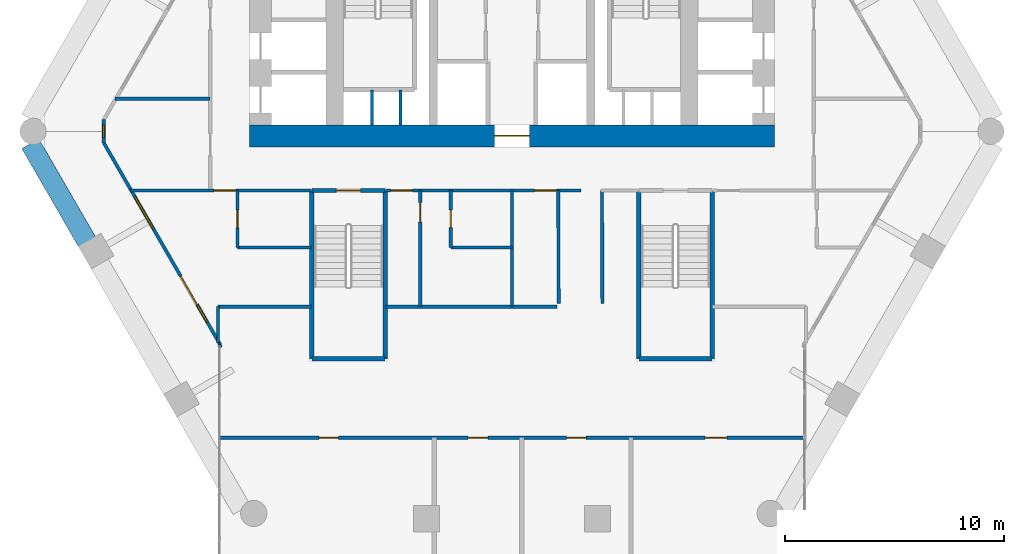
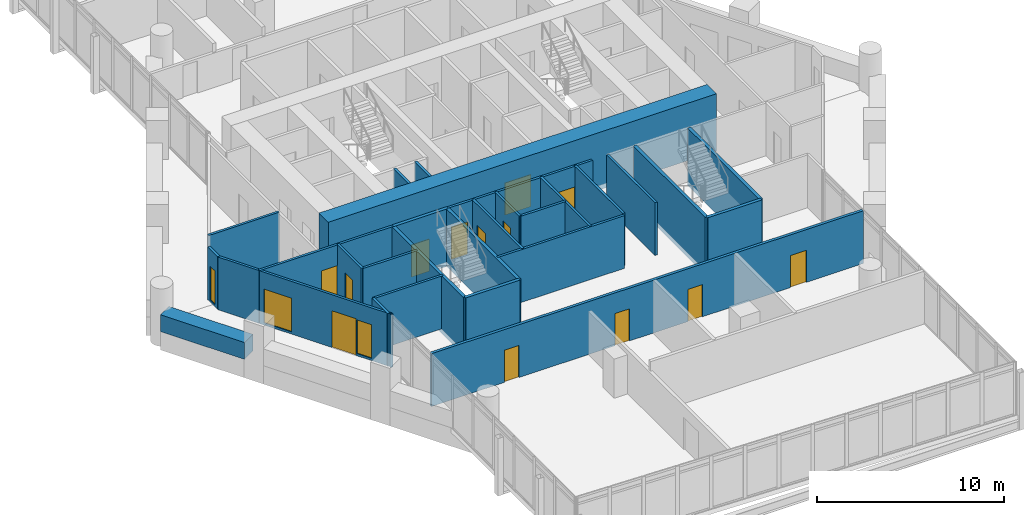
# One storey, part 23 of 28: 29 walls, 13 doors, 3 windows, 16 openings.
"""IFC4 building model written with IfcOpenShell, lengths in metres."""

from ifc_helpers import new_model, si_unit, direction, frame, frame_2d, origin, place, context, subcontext, project, spatial, rectangle, extrude, material, layer, layer_set, type_object, element, fill, save


model = new_model("IFC4")

# Units and contexts
model_context = context("Model", 3, precision=1e-05, world=origin(), true_north=direction((0.0, 1.0)))
body_context = subcontext(model_context, "Body", "Model", "MODEL_VIEW")
ifc_project = project(units=[si_unit("LENGTHUNIT", "METRE"), si_unit("AREAUNIT", "SQUARE_METRE"), si_unit("VOLUMEUNIT", "CUBIC_METRE"), si_unit("PLANEANGLEUNIT", "RADIAN"), si_unit("MASSUNIT", "GRAM", prefix="KILO")], contexts=[model_context])

# Site, building, storey
site_placement = place(None, origin())
site = spatial("IfcSite", under=ifc_project, at=site_placement, CompositionType="ELEMENT")
building_placement = place(site_placement, origin())
building = spatial("IfcBuilding", under=site, at=building_placement, Name="Ostrander Bayou Hotel Tower", CompositionType="ELEMENT")
storey_placement = place(building_placement, frame((0.0, 0.0, 134.75)))
storey = spatial("IfcBuildingStorey", under=building, at=storey_placement, Name="L33", CompositionType="ELEMENT", Elevation=134.75)

# Wall, opening, door
ifc_material_1 = material(Name="Concrete f'c 70 MPa", Category="concrete")
ifc_layer_1 = layer(ifc_material_1, 1.0)
ifc_layer_set_1 = layer_set([ifc_layer_1], Name="CW4 core wall 1000 mm f'c 70 MPa")
wall_type_1 = type_object("IfcWallType", Name="CW4 core wall 1000 mm f'c 70 MPa", PredefinedType="SHEAR", material=ifc_layer_set_1)
wall_1_placement = place(storey_placement, frame((-12.0, -1.199951171875, -0.300048828125), z_axis=(0.0, 0.0, 1.0), x_axis=(1.0, 0.0, 0.0)))
wall_1 = element("IfcWall", 1, at=wall_1_placement, inside=storey, type_object=wall_type_1, Name="CW4 L33 S", PredefinedType="SHEAR", context=body_context, shape_type="SweptSolid", body=[
    extrude(rectangle(XDim=24.0, YDim=1.0, at=frame_2d((12.0, 0.0))), origin(), (0.0, 0.0, 1.0), 3.75),
])
opening_1_placement = place(wall_1_placement, frame((11.199951171875, 0.0, 0.0)))
opening_1 = element("IfcOpeningElement", 2, at=opening_1_placement, cuts=wall_1, Name="Opening T32-001", PredefinedType="OPENING", context=body_context, shape_type="SweptSolid", body=[
    extrude(rectangle(XDim=1.60009765625, YDim=2.10009765625, at=frame_2d((0.800048828125, 1.050048828125))), frame((0.0, 0.5, 0.0), z_axis=(0.0, -1.0, 0.0), x_axis=(1.0, 0.0, 0.0)), (0.0, 0.0, 1.0), 1.0),
])
ifc_material_2 = material(Name="Timber door leaf", Category="wood")
door_type_1 = type_object("IfcDoorType", Name="D13 double door 1600 x 2100 mm, 1 hour", OperationType="SINGLE_SWING_LEFT", PredefinedType="DOOR", material=ifc_material_2)
door_1_placement = place(opening_1_placement, origin())
door_1 = element("IfcDoor", 3, at=door_1_placement, inside=storey, type_object=door_type_1, Name="dr:L33:001", OperationType="DOUBLE_DOOR_SINGLE_SWING", OverallHeight=2.10009765625, OverallWidth=1.60009765625, PredefinedType="DOOR", context=body_context, shape_type="SweptSolid", body=[
    extrude(rectangle(XDim=1.60009765625, YDim=2.10009765625, at=frame_2d((0.800048828125, 1.050048828125))), frame((0.0, 0.02490234375, 0.0), z_axis=(0.0, -1.0, 0.0), x_axis=(1.0, 0.0, 0.0)), (0.0, 0.0, 1.0), 0.050048828125),
])
fill(opening_1, door_1)

# Wall, openings, door, windows
ifc_material_3 = material(Name="Aluminium framed insulated wall", Category="aluminium")
ifc_layer_2 = layer(ifc_material_3, 0.14990234375)
ifc_layer_set_2 = layer_set([ifc_layer_2], Name="GW1 glass-line wall 150 mm")
wall_type_2 = type_object("IfcWallType", Name="GW1 glass-line wall 150 mm", PredefinedType="SOLIDWALL", material=ifc_layer_set_2)
wall_2_placement = place(storey_placement, frame((-18.66259765625, -1.525390625, 0.0), z_axis=(0.0, 0.0, 1.0), x_axis=(0.499997430087, -0.866026887519, 0.0)))
wall_2 = element("IfcWall", 4, at=wall_2_placement, inside=storey, type_object=wall_type_2, Name="GW1 L33 SW 1", PredefinedType="SOLIDWALL", context=body_context, shape_type="SweptSolid", body=[
    extrude(rectangle(XDim=10.6572265625, YDim=0.14990234375, at=frame_2d((5.32861328125, 0.0))), origin(), (0.0, 0.0, 1.0), 3.449951171875),
])
opening_2_placement = place(wall_2_placement, frame((2.835205078125, 0.0, 0.14990234375)))
opening_2 = element("IfcOpeningElement", 5, at=opening_2_placement, cuts=wall_2, Name="Opening W8", PredefinedType="OPENING", context=body_context, shape_type="SweptSolid", body=[
    extrude(rectangle(XDim=1.699951171875, YDim=2.199951171875, at=frame_2d((0.85009765625, 1.10009765625))), frame((0.0, 0.074951171875, 0.0), z_axis=(0.0, -1.0, 0.0), x_axis=(1.0, 0.0, 0.0)), (0.0, 0.0, 1.0), 0.14990234375),
])
opening_3_placement = place(wall_2_placement, frame((8.572998046875, 0.0, 0.14990234375)))
opening_3 = element("IfcOpeningElement", 6, at=opening_3_placement, cuts=wall_2, Name="Opening W16", PredefinedType="OPENING", context=body_context, shape_type="SweptSolid", body=[
    extrude(rectangle(XDim=0.89990234375, YDim=2.199951171875, at=frame_2d((0.449951171875, 1.10009765625))), frame((0.0, 0.074951171875, 0.0), z_axis=(0.0, -1.0, 0.0), x_axis=(1.0, 0.0, 0.0)), (0.0, 0.0, 1.0), 0.14990234375),
])
opening_4_placement = place(wall_2_placement, frame((7.023193359375, 0.0, 0.0)))
opening_4 = element("IfcOpeningElement", 7, at=opening_4_placement, cuts=wall_2, Name="Opening T32-800", PredefinedType="OPENING", context=body_context, shape_type="SweptSolid", body=[
    extrude(rectangle(XDim=1.5, YDim=2.39990234375, at=frame_2d((0.75, 1.199951171875))), frame((0.0, 0.074951171875, 0.0), z_axis=(0.0, -1.0, 0.0), x_axis=(1.0, 0.0, 0.0)), (0.0, 0.0, 1.0), 0.14990234375),
])
ifc_material_4 = material(Name="Aluminium and clear glass", Category="aluminium")
door_type_2 = type_object("IfcDoorType", Name="SD2 sliding glass door 1500 mm, zone 2", OperationType="SLIDING_TO_LEFT", PredefinedType="DOOR", material=ifc_material_4)
door_2_placement = place(opening_4_placement, origin())
door_2 = element("IfcDoor", 8, at=door_2_placement, inside=storey, type_object=door_type_2, Name="SD2 L33 SW 2", OperationType="SLIDING_TO_RIGHT", OverallHeight=2.39990234375, OverallWidth=1.5, PredefinedType="DOOR", context=body_context, shape_type="SweptSolid", body=[
    extrude(rectangle(XDim=1.5, YDim=2.39990234375, at=frame_2d((0.75, 1.199951171875))), frame((0.0, 0.02490234375, 0.0), z_axis=(0.0, -1.0, 0.0), x_axis=(1.0, 0.0, 0.0)), (0.0, 0.0, 1.0), 0.050048828125),
])
fill(opening_4, door_2)
ifc_material_5 = material(Name="Aluminium and clear glass", Category="aluminium")
window_type_1 = type_object("IfcWindowType", Name="W16 window 900 mm, zone 2", PartitioningType="SINGLE_PANEL", PredefinedType="WINDOW", material=ifc_material_5)
window_1_placement = place(opening_3_placement, origin())
window_1 = element("IfcWindow", 9, at=window_1_placement, inside=storey, type_object=window_type_1, Name="W16 L33 SW 2", OverallHeight=2.199951171875, OverallWidth=0.89990234375, PartitioningType="SINGLE_PANEL", PredefinedType="WINDOW", context=body_context, shape_type="SweptSolid", body=[
    extrude(rectangle(XDim=0.89990234375, YDim=2.199951171875, at=frame_2d((0.449951171875, 1.10009765625))), frame((0.0, 0.030029296875, 0.0), z_axis=(0.0, -1.0, 0.0), x_axis=(1.0, 0.0, 0.0)), (0.0, 0.0, 1.0), 0.06005859375),
])
fill(opening_3, window_1)
ifc_material_6 = material(Name="Aluminium and clear glass", Category="aluminium")
window_type_2 = type_object("IfcWindowType", Name="W8 fixed window 1700 mm, bar storeys, zone 2", PartitioningType="SINGLE_PANEL", PredefinedType="WINDOW", material=ifc_material_6)
window_2_placement = place(opening_2_placement, origin())
window_2 = element("IfcWindow", 10, at=window_2_placement, inside=storey, type_object=window_type_2, Name="W8 L33 SW 1", OverallHeight=2.199951171875, OverallWidth=1.699951171875, PartitioningType="SINGLE_PANEL", PredefinedType="WINDOW", context=body_context, shape_type="SweptSolid", body=[
    extrude(rectangle(XDim=1.699951171875, YDim=2.199951171875, at=frame_2d((0.85009765625, 1.10009765625))), frame((0.0, 0.030029296875, 0.0), z_axis=(0.0, -1.0, 0.0), x_axis=(1.0, 0.0, 0.0)), (0.0, 0.0, 1.0), 0.06005859375),
])
fill(opening_2, window_2)

# Wall, opening, window
wall_3_placement = place(storey_placement, frame((-18.66259765625, -0.460205078125, 0.0), z_axis=(0.0, 0.0, 1.0), x_axis=(0.0, -1.0, 0.0)))
wall_3 = element("IfcWall", 11, at=wall_3_placement, inside=storey, type_object=wall_type_2, Name="GW1 L33 corner 2", PredefinedType="SOLIDWALL", context=body_context, shape_type="SweptSolid", body=[
    extrude(rectangle(XDim=1.065185546875, YDim=0.14990234375, at=frame_2d((0.53271484375, 0.0))), origin(), (0.0, 0.0, 1.0), 3.449951171875),
])
opening_5_placement = place(wall_3_placement, frame((0.257568359375, 0.0, 0.14990234375)))
opening_5 = element("IfcOpeningElement", 12, at=opening_5_placement, cuts=wall_3, Name="Opening W19", PredefinedType="OPENING", context=body_context, shape_type="SweptSolid", body=[
    extrude(rectangle(XDim=0.550048828125, YDim=2.199951171875, at=frame_2d((0.27490234375, 1.10009765625))), frame((0.0, 0.074951171875, 0.0), z_axis=(0.0, -1.0, 0.0), x_axis=(1.0, 0.0, 0.0)), (0.0, 0.0, 1.0), 0.14990234375),
])
ifc_material_7 = material(Name="Aluminium and clear glass", Category="aluminium")
window_type_3 = type_object("IfcWindowType", Name="W19 corner window 550 mm", PartitioningType="SINGLE_PANEL", PredefinedType="WINDOW", material=ifc_material_7)
window_3_placement = place(opening_5_placement, origin())
window_3 = element("IfcWindow", 13, at=window_3_placement, inside=storey, type_object=window_type_3, Name="W19 L33 corner 2", OverallHeight=2.199951171875, OverallWidth=0.550048828125, PartitioningType="SINGLE_PANEL", PredefinedType="WINDOW", context=body_context, shape_type="SweptSolid", body=[
    extrude(rectangle(XDim=0.550048828125, YDim=2.199951171875, at=frame_2d((0.27490234375, 1.10009765625))), frame((0.0, 0.030029296875, 0.0), z_axis=(0.0, -1.0, 0.0), x_axis=(1.0, 0.0, 0.0)), (0.0, 0.0, 1.0), 0.06005859375),
])
fill(opening_5, window_3)

# Walls
wall_4_placement = place(storey_placement, frame((-13.333984375, -10.7548828125, 0.0), z_axis=(0.0, 0.0, 1.0), x_axis=(-0.337751931921, -0.941235163221, 0.0)))
element("IfcWall", 14, at=wall_4_placement, inside=storey, type_object=wall_type_2, Name="GW1 L33 bar joint 2", PredefinedType="SOLIDWALL", context=body_context, shape_type="SweptSolid", body=[
    extrude(rectangle(XDim=0.098388671875, YDim=0.14990234375, at=frame_2d((0.04931640625, 0.0))), origin(), (0.0, 0.0, 1.0), 3.449951171875),
])
ifc_material_8 = material(Name="Limestone masonry", Category="masonry")
ifc_layer_3 = layer(ifc_material_8, 0.89990234375)
ifc_layer_set_3 = layer_set([ifc_layer_3], Name="PA2 limestone parapet 900 mm")
wall_type_3 = type_object("IfcWallType", Name="PA2 limestone parapet 900 mm", PredefinedType="PARAPET", material=ifc_layer_set_3)
wall_5_placement = place(storey_placement, frame((-22.022216796875, -1.556396484375, 0.0), z_axis=(0.0, 0.0, 1.0), x_axis=(0.499996813733, -0.866027243369, 0.0)))
element("IfcWall", 15, at=wall_5_placement, inside=storey, type_object=wall_type_3, Name="PA2 L33 SW-1", PredefinedType="PARAPET", context=body_context, shape_type="SweptSolid", body=[
    extrude(rectangle(XDim=5.1865234375, YDim=0.89990234375, at=frame_2d((2.59326171875, 0.0))), origin(), (0.0, 0.0, 1.0), 1.10009765625),
])

# Wall, openings, doors
ifc_material_9 = material(Name="Gypsum board partition", Category="finish")
ifc_layer_4 = layer(ifc_material_9, 0.175048828125)
ifc_layer_set_4 = layer_set([ifc_layer_4], Name="PT4 corridor wall 175 mm, 1 hour")
wall_type_4 = type_object("IfcWallType", Name="PT4 corridor wall 175 mm, 1 hour", PredefinedType="PARTITIONING", material=ifc_layer_set_4)
wall_6_placement = place(storey_placement, frame((-13.34814453125, -15.0, 0.0), z_axis=(0.0, 0.0, 1.0), x_axis=(1.0, 0.0, 0.0)))
wall_6 = element("IfcWall", 16, at=wall_6_placement, inside=storey, type_object=wall_type_4, Name="sw:L33:500", PredefinedType="PARTITIONING", context=body_context, shape_type="SweptSolid", body=[
    extrude(rectangle(XDim=26.6962890625, YDim=0.175048828125, at=frame_2d((13.34814453125, 0.0))), origin(), (0.0, 0.0, 1.0), 3.449951171875),
])
opening_6_placement = place(wall_6_placement, frame((11.34033203125, 0.0, 0.0)))
opening_6 = element("IfcOpeningElement", 17, at=opening_6_placement, cuts=wall_6, Name="Opening T32-1200", PredefinedType="OPENING", context=body_context, shape_type="SweptSolid", body=[
    extrude(rectangle(XDim=0.89990234375, YDim=2.10009765625, at=frame_2d((0.449951171875, 1.050048828125))), frame((0.0, 0.08740234375, 0.0), z_axis=(0.0, -1.0, 0.0), x_axis=(1.0, 0.0, 0.0)), (0.0, 0.0, 1.0), 0.175048828125),
])
opening_7_placement = place(wall_6_placement, frame((15.84033203125, 0.0, 0.0)))
opening_7 = element("IfcOpeningElement", 18, at=opening_7_placement, cuts=wall_6, Name="Opening T32-1201", PredefinedType="OPENING", context=body_context, shape_type="SweptSolid", body=[
    extrude(rectangle(XDim=0.89990234375, YDim=2.10009765625, at=frame_2d((0.449951171875, 1.050048828125))), frame((0.0, 0.08740234375, 0.0), z_axis=(0.0, -1.0, 0.0), x_axis=(1.0, 0.0, 0.0)), (0.0, 0.0, 1.0), 0.175048828125),
])
opening_8_placement = place(wall_6_placement, frame((22.17529296875, 0.0, 0.0)))
opening_8 = element("IfcOpeningElement", 19, at=opening_8_placement, cuts=wall_6, Name="Opening T32-1202", PredefinedType="OPENING", context=body_context, shape_type="SweptSolid", body=[
    extrude(rectangle(XDim=1.0, YDim=2.10009765625, at=frame_2d((0.5, 1.050048828125))), frame((0.0, 0.08740234375, 0.0), z_axis=(0.0, -1.0, 0.0), x_axis=(1.0, 0.0, 0.0)), (0.0, 0.0, 1.0), 0.175048828125),
])
opening_9_placement = place(wall_6_placement, frame((4.51318359375, 0.0, 0.0)))
opening_9 = element("IfcOpeningElement", 20, at=opening_9_placement, cuts=wall_6, Name="Opening T32-1203", PredefinedType="OPENING", context=body_context, shape_type="SweptSolid", body=[
    extrude(rectangle(XDim=0.89990234375, YDim=2.10009765625, at=frame_2d((0.449951171875, 1.050048828125))), frame((0.0, 0.08740234375, 0.0), z_axis=(0.0, -1.0, 0.0), x_axis=(1.0, 0.0, 0.0)), (0.0, 0.0, 1.0), 0.175048828125),
])
ifc_material_10 = material(Name="Timber door leaf", Category="wood")
door_type_3 = type_object("IfcDoorType", Name="D8 room door 900 x 2100 mm", OperationType="SINGLE_SWING_LEFT", PredefinedType="DOOR", material=ifc_material_10)
door_3_placement = place(opening_6_placement, origin())
door_3 = element("IfcDoor", 21, at=door_3_placement, inside=storey, type_object=door_type_3, Name="dr:L33:1200", OperationType="SINGLE_SWING_RIGHT", OverallHeight=2.10009765625, OverallWidth=0.89990234375, PredefinedType="DOOR", context=body_context, shape_type="SweptSolid", body=[
    extrude(rectangle(XDim=0.89990234375, YDim=2.10009765625, at=frame_2d((0.449951171875, 1.050048828125))), frame((0.0, 0.02490234375, 0.0), z_axis=(0.0, -1.0, 0.0), x_axis=(1.0, 0.0, 0.0)), (0.0, 0.0, 1.0), 0.050048828125),
])
fill(opening_6, door_3)
door_4_placement = place(opening_7_placement, origin())
door_4 = element("IfcDoor", 22, at=door_4_placement, inside=storey, type_object=door_type_3, Name="dr:L33:1201", OperationType="SINGLE_SWING_LEFT", OverallHeight=2.10009765625, OverallWidth=0.89990234375, PredefinedType="DOOR", context=body_context, shape_type="SweptSolid", body=[
    extrude(rectangle(XDim=0.89990234375, YDim=2.10009765625, at=frame_2d((0.449951171875, 1.050048828125))), frame((0.0, 0.02490234375, 0.0), z_axis=(0.0, -1.0, 0.0), x_axis=(1.0, 0.0, 0.0)), (0.0, 0.0, 1.0), 0.050048828125),
])
fill(opening_7, door_4)
door_5_placement = place(opening_9_placement, origin())
door_5 = element("IfcDoor", 23, at=door_5_placement, inside=storey, type_object=door_type_3, Name="dr:L33:1203", OperationType="SINGLE_SWING_LEFT", OverallHeight=2.10009765625, OverallWidth=0.89990234375, PredefinedType="DOOR", context=body_context, shape_type="SweptSolid", body=[
    extrude(rectangle(XDim=0.89990234375, YDim=2.10009765625, at=frame_2d((0.449951171875, 1.050048828125))), frame((0.0, 0.02490234375, 0.0), z_axis=(0.0, -1.0, 0.0), x_axis=(1.0, 0.0, 0.0)), (0.0, 0.0, 1.0), 0.050048828125),
])
fill(opening_9, door_5)
ifc_material_11 = material(Name="Timber door leaf", Category="wood")
door_type_4 = type_object("IfcDoorType", Name="D9 service door 1000 x 2100 mm, 30 minute", OperationType="SINGLE_SWING_LEFT", PredefinedType="DOOR", material=ifc_material_11)
door_6_placement = place(opening_8_placement, origin())
door_6 = element("IfcDoor", 24, at=door_6_placement, inside=storey, type_object=door_type_4, Name="dr:L33:1202", OperationType="SINGLE_SWING_RIGHT", OverallHeight=2.10009765625, OverallWidth=1.0, PredefinedType="DOOR", context=body_context, shape_type="SweptSolid", body=[
    extrude(rectangle(XDim=1.0, YDim=2.10009765625, at=frame_2d((0.5, 1.050048828125))), frame((0.0, 0.02490234375, 0.0), z_axis=(0.0, -1.0, 0.0), x_axis=(1.0, 0.0, 0.0)), (0.0, 0.0, 1.0), 0.050048828125),
])
fill(opening_8, door_6)

# Walls
ifc_material_12 = material(Name="Gypsum board partition", Category="finish")
ifc_layer_5 = layer(ifc_material_12, 0.14990234375)
ifc_layer_set_5 = layer_set([ifc_layer_5], Name="PT7 riser wall 150 mm, 2 hour")
wall_type_5 = type_object("IfcWallType", Name="PT7 riser wall 150 mm, 2 hour", PredefinedType="PARTITIONING", material=ifc_layer_set_5)
for number, where, z_axis, x_axis, name in (
    (25, (-6.39990234375, -0.699951171875, 0.0), (0.0, 0.0, 1.0), (0.0, 1.0, 0.0), "cs:L33:011"),
    (26, (-5.10009765625, -0.699951171875, 0.0), (0.0, 0.0, 1.0), (0.0, 1.0, 0.0), "cs:L33:012"),
):
    element("IfcWall", number, at=place(storey_placement, frame(where, z_axis=z_axis, x_axis=x_axis)), inside=storey, type_object=wall_type_5, Name=name, PredefinedType="PARTITIONING", context=body_context, shape_type="SweptSolid", body=[
        extrude(rectangle(XDim=1.599853515625, YDim=0.14990234375, at=frame_2d((0.7998046875, 0.0))), origin(), (0.0, 0.0, 1.0), 3.449951171875),
    ])
ifc_material_13 = material(Name="Gypsum board partition", Category="finish")
ifc_layer_6 = layer(ifc_material_13, 0.14990234375)
ifc_layer_set_6 = layer_set([ifc_layer_6], Name="PT8 service band wall 150 mm, 1 hour")
wall_type_6 = type_object("IfcWallType", Name="PT8 service band wall 150 mm, 1 hour", PredefinedType="PARTITIONING", material=ifc_layer_set_6)
wall_7_placement = place(storey_placement, frame((-13.43994140625, -9.010009765625, 0.0), z_axis=(0.0, 0.0, 1.0), x_axis=(1.0, 0.0, 0.0)))
element("IfcWall", 27, at=wall_7_placement, inside=storey, type_object=wall_type_6, Name="gw:L33:001", PredefinedType="PARTITIONING", context=body_context, shape_type="SweptSolid", body=[
    extrude(rectangle(XDim=4.280029296875, YDim=0.14990234375, at=frame_2d((2.14013671875, 0.0))), origin(), (0.0, 0.0, 1.0), 3.449951171875),
])
wall_8_placement = place(storey_placement, frame((-5.7900390625, -9.010009765625, 0.0), z_axis=(0.0, 0.0, 1.0), x_axis=(1.0, 0.0, 0.0)))
element("IfcWall", 28, at=wall_8_placement, inside=storey, type_object=wall_type_6, Name="gw:L33:002", PredefinedType="PARTITIONING", context=body_context, shape_type="SweptSolid", body=[
    extrude(rectangle(XDim=7.844970703125, YDim=0.14990234375, at=frame_2d((3.92236328125, 0.0))), origin(), (0.0, 0.0, 1.0), 3.449951171875),
])
wall_9_placement = place(storey_placement, frame((-12.550048828125, -6.300048828125, 0.0), z_axis=(0.0, 0.0, 1.0), x_axis=(1.0, 0.0, 0.0)))
element("IfcWall", 29, at=wall_9_placement, inside=storey, type_object=wall_type_6, Name="gw:L33:004", PredefinedType="PARTITIONING", context=body_context, shape_type="SweptSolid", body=[
    extrude(rectangle(XDim=3.39013671875, YDim=0.14990234375, at=frame_2d((1.695068359375, 0.0))), origin(), (0.0, 0.0, 1.0), 3.449951171875),
])
wall_10_placement = place(storey_placement, frame((-2.800048828125, -6.300048828125, 0.0), z_axis=(0.0, 0.0, 1.0), x_axis=(1.0, 0.0, 0.0)))
element("IfcWall", 30, at=wall_10_placement, inside=storey, type_object=wall_type_6, Name="gw:L33:005", PredefinedType="PARTITIONING", context=body_context, shape_type="SweptSolid", body=[
    extrude(rectangle(XDim=2.800048828125, YDim=0.14990234375, at=frame_2d((1.39990234375, 0.0))), origin(), (0.0, 0.0, 1.0), 3.449951171875),
])

# Wall, opening, door
wall_11_placement = place(storey_placement, frame((-17.458984375, -3.699951171875, 0.0), z_axis=(0.0, 0.0, 1.0), x_axis=(1.0, 0.0, 0.0)))
wall_11 = element("IfcWall", 31, at=wall_11_placement, inside=storey, type_object=wall_type_6, Name="gw:L33:007", PredefinedType="PARTITIONING", context=body_context, shape_type="SweptSolid", body=[
    extrude(rectangle(XDim=8.299072265625, YDim=0.14990234375, at=frame_2d((4.1494140625, 0.0))), origin(), (0.0, 0.0, 1.0), 3.449951171875),
])
opening_10_placement = place(wall_11_placement, frame((3.833984375, 0.0, 0.0)))
opening_10 = element("IfcOpeningElement", 32, at=opening_10_placement, cuts=wall_11, Name="Opening T32-403", PredefinedType="OPENING", context=body_context, shape_type="SweptSolid", body=[
    extrude(rectangle(XDim=1.0, YDim=2.10009765625, at=frame_2d((0.5, 1.050048828125))), frame((0.0, 0.074951171875, 0.0), z_axis=(0.0, -1.0, 0.0), x_axis=(1.0, 0.0, 0.0)), (0.0, 0.0, 1.0), 0.14990234375),
])
ifc_material_14 = material(Name="Timber door leaf", Category="wood")
door_type_5 = type_object("IfcDoorType", Name="D1 guest room door 1000 x 2100 mm, 30 minute", OperationType="SINGLE_SWING_LEFT", PredefinedType="DOOR", material=ifc_material_14)
door_7_placement = place(opening_10_placement, origin())
door_7 = element("IfcDoor", 33, at=door_7_placement, inside=storey, type_object=door_type_5, Name="dr:L33:403", OperationType="SINGLE_SWING_LEFT", OverallHeight=2.10009765625, OverallWidth=1.0, PredefinedType="DOOR", context=body_context, shape_type="SweptSolid", body=[
    extrude(rectangle(XDim=1.0, YDim=2.10009765625, at=frame_2d((0.5, 1.050048828125))), frame((0.0, 0.02490234375, 0.0), z_axis=(0.0, -1.0, 0.0), x_axis=(1.0, 0.0, 0.0)), (0.0, 0.0, 1.0), 0.050048828125),
])
fill(opening_10, door_7)

# Wall, openings, doors
wall_12_placement = place(storey_placement, frame((-5.7900390625, -3.699951171875, 0.0), z_axis=(0.0, 0.0, 1.0), x_axis=(1.0, 0.0, 0.0)))
wall_12 = element("IfcWall", 34, at=wall_12_placement, inside=storey, type_object=wall_type_6, Name="gw:L33:008", PredefinedType="PARTITIONING", context=body_context, shape_type="SweptSolid", body=[
    extrude(rectangle(XDim=8.945068359375, YDim=0.14990234375, at=frame_2d((4.47265625, 0.0))), origin(), (0.0, 0.0, 1.0), 3.449951171875),
])
opening_11_placement = place(wall_12_placement, frame((0.239990234375, 0.0, 0.0)))
opening_11 = element("IfcOpeningElement", 35, at=opening_11_placement, cuts=wall_12, Name="Opening T32-400", PredefinedType="OPENING", context=body_context, shape_type="SweptSolid", body=[
    extrude(rectangle(XDim=1.0, YDim=2.10009765625, at=frame_2d((0.5, 1.050048828125))), frame((0.0, 0.074951171875, 0.0), z_axis=(0.0, -1.0, 0.0), x_axis=(1.0, 0.0, 0.0)), (0.0, 0.0, 1.0), 0.14990234375),
])
opening_12_placement = place(wall_12_placement, frame((6.826904296875, 0.0, 0.0)))
opening_12 = element("IfcOpeningElement", 36, at=opening_12_placement, cuts=wall_12, Name="Opening T32-405", PredefinedType="OPENING", context=body_context, shape_type="SweptSolid", body=[
    extrude(rectangle(XDim=1.0, YDim=2.10009765625, at=frame_2d((0.5, 1.050048828125))), frame((0.0, 0.074951171875, 0.0), z_axis=(0.0, -1.0, 0.0), x_axis=(1.0, 0.0, 0.0)), (0.0, 0.0, 1.0), 0.14990234375),
])
door_8_placement = place(opening_11_placement, origin())
door_8 = element("IfcDoor", 37, at=door_8_placement, inside=storey, type_object=door_type_5, Name="dr:L33:400", OperationType="SINGLE_SWING_LEFT", OverallHeight=2.10009765625, OverallWidth=1.0, PredefinedType="DOOR", context=body_context, shape_type="SweptSolid", body=[
    extrude(rectangle(XDim=1.0, YDim=2.10009765625, at=frame_2d((0.5, 1.050048828125))), frame((0.0, 0.02490234375, 0.0), z_axis=(0.0, -1.0, 0.0), x_axis=(1.0, 0.0, 0.0)), (0.0, 0.0, 1.0), 0.050048828125),
])
fill(opening_11, door_8)
door_9_placement = place(opening_12_placement, origin())
door_9 = element("IfcDoor", 38, at=door_9_placement, inside=storey, type_object=door_type_4, Name="dr:L33:405", OperationType="SINGLE_SWING_LEFT", OverallHeight=2.10009765625, OverallWidth=1.0, PredefinedType="DOOR", context=body_context, shape_type="SweptSolid", body=[
    extrude(rectangle(XDim=1.0, YDim=2.10009765625, at=frame_2d((0.5, 1.050048828125))), frame((0.0, 0.02490234375, 0.0), z_axis=(0.0, -1.0, 0.0), x_axis=(1.0, 0.0, 0.0)), (0.0, 0.0, 1.0), 0.050048828125),
])
fill(opening_12, door_9)

# Walls
wall_13_placement = place(storey_placement, frame((-18.159912109375, 0.5, 0.0), z_axis=(0.0, 0.0, 1.0), x_axis=(1.0, 0.0, 0.0)))
element("IfcWall", 39, at=wall_13_placement, inside=storey, type_object=wall_type_6, Name="gw:L33:011", PredefinedType="PARTITIONING", context=body_context, shape_type="SweptSolid", body=[
    extrude(rectangle(XDim=4.35986328125, YDim=0.14990234375, at=frame_2d((2.179931640625, 0.0))), origin(), (0.0, 0.0, 1.0), 3.449951171875),
])
wall_14_placement = place(storey_placement, frame((0.0, -9.010009765625, 0.0), z_axis=(0.0, 0.0, 1.0), x_axis=(0.0, 1.0, 0.0)))
element("IfcWall", 40, at=wall_14_placement, inside=storey, type_object=wall_type_6, Name="gw:L33:019", PredefinedType="PARTITIONING", context=body_context, shape_type="SweptSolid", body=[
    extrude(rectangle(XDim=5.31005859375, YDim=0.14990234375, at=frame_2d((2.655029296875, 0.0))), origin(), (0.0, 0.0, 1.0), 3.449951171875),
])

# Wall, opening, door
wall_15_placement = place(storey_placement, frame((-2.800048828125, -6.300048828125, 0.0), z_axis=(0.0, 0.0, 1.0), x_axis=(0.0, 1.0, 0.0)))
wall_15 = element("IfcWall", 41, at=wall_15_placement, inside=storey, type_object=wall_type_6, Name="gw:L33:020", PredefinedType="PARTITIONING", context=body_context, shape_type="SweptSolid", body=[
    extrude(rectangle(XDim=2.60009765625, YDim=0.14990234375, at=frame_2d((1.300048828125, 0.0))), origin(), (0.0, 0.0, 1.0), 3.449951171875),
])
opening_13_placement = place(wall_15_placement, frame((0.89990234375, 0.0, 0.0)))
opening_13 = element("IfcOpeningElement", 42, at=opening_13_placement, cuts=wall_15, Name="Opening T32-402", PredefinedType="OPENING", context=body_context, shape_type="SweptSolid", body=[
    extrude(rectangle(XDim=0.800048828125, YDim=2.10009765625, at=frame_2d((0.39990234375, 1.050048828125))), frame((0.0, 0.074951171875, 0.0), z_axis=(0.0, -1.0, 0.0), x_axis=(1.0, 0.0, 0.0)), (0.0, 0.0, 1.0), 0.14990234375),
])
ifc_material_15 = material(Name="Timber door leaf", Category="wood")
door_type_6 = type_object("IfcDoorType", Name="D2 bathroom door 800 x 2100 mm", OperationType="SINGLE_SWING_LEFT", PredefinedType="DOOR", material=ifc_material_15)
door_10_placement = place(opening_13_placement, origin())
door_10 = element("IfcDoor", 43, at=door_10_placement, inside=storey, type_object=door_type_6, Name="dr:L33:402", OperationType="SINGLE_SWING_RIGHT", OverallHeight=2.10009765625, OverallWidth=0.800048828125, PredefinedType="DOOR", context=body_context, shape_type="SweptSolid", body=[
    extrude(rectangle(XDim=0.800048828125, YDim=2.10009765625, at=frame_2d((0.39990234375, 1.050048828125))), frame((0.0, 0.02490234375, 0.0), z_axis=(0.0, -1.0, 0.0), x_axis=(1.0, 0.0, 0.0)), (0.0, 0.0, 1.0), 0.050048828125),
])
fill(opening_13, door_10)

wall_16_placement = place(storey_placement, frame((-4.199951171875, -9.010009765625, 0.0), z_axis=(0.0, 0.0, 1.0), x_axis=(0.0, 1.0, 0.0)))
wall_16 = element("IfcWall", 44, at=wall_16_placement, inside=storey, type_object=wall_type_6, Name="gw:L33:021", PredefinedType="PARTITIONING", context=body_context, shape_type="SweptSolid", body=[
    extrude(rectangle(XDim=5.31005859375, YDim=0.14990234375, at=frame_2d((2.655029296875, 0.0))), origin(), (0.0, 0.0, 1.0), 3.449951171875),
])
opening_14_placement = place(wall_16_placement, frame((3.860107421875, 0.0, 0.0)))
opening_14 = element("IfcOpeningElement", 45, at=opening_14_placement, cuts=wall_16, Name="Opening T32-401", PredefinedType="OPENING", context=body_context, shape_type="SweptSolid", body=[
    extrude(rectangle(XDim=0.89990234375, YDim=2.10009765625, at=frame_2d((0.449951171875, 1.050048828125))), frame((0.0, 0.074951171875, 0.0), z_axis=(0.0, -1.0, 0.0), x_axis=(1.0, 0.0, 0.0)), (0.0, 0.0, 1.0), 0.14990234375),
])
door_11_placement = place(opening_14_placement, origin())
door_11 = element("IfcDoor", 46, at=door_11_placement, inside=storey, type_object=door_type_3, Name="dr:L33:401", OperationType="SINGLE_SWING_RIGHT", OverallHeight=2.10009765625, OverallWidth=0.89990234375, PredefinedType="DOOR", context=body_context, shape_type="SweptSolid", body=[
    extrude(rectangle(XDim=0.89990234375, YDim=2.10009765625, at=frame_2d((0.449951171875, 1.050048828125))), frame((0.0, 0.02490234375, 0.0), z_axis=(0.0, -1.0, 0.0), x_axis=(1.0, 0.0, 0.0)), (0.0, 0.0, 1.0), 0.050048828125),
])
fill(opening_14, door_11)

wall_17_placement = place(storey_placement, frame((-12.550048828125, -6.300048828125, 0.0), z_axis=(0.0, 0.0, 1.0), x_axis=(0.0, 1.0, 0.0)))
wall_17 = element("IfcWall", 47, at=wall_17_placement, inside=storey, type_object=wall_type_6, Name="gw:L33:022", PredefinedType="PARTITIONING", context=body_context, shape_type="SweptSolid", body=[
    extrude(rectangle(XDim=2.60009765625, YDim=0.14990234375, at=frame_2d((1.300048828125, 0.0))), origin(), (0.0, 0.0, 1.0), 3.449951171875),
])
opening_15_placement = place(wall_17_placement, frame((0.89990234375, 0.0, 0.0)))
opening_15 = element("IfcOpeningElement", 48, at=opening_15_placement, cuts=wall_17, Name="Opening T32-404", PredefinedType="OPENING", context=body_context, shape_type="SweptSolid", body=[
    extrude(rectangle(XDim=0.800048828125, YDim=2.10009765625, at=frame_2d((0.39990234375, 1.050048828125))), frame((0.0, 0.074951171875, 0.0), z_axis=(0.0, -1.0, 0.0), x_axis=(1.0, 0.0, 0.0)), (0.0, 0.0, 1.0), 0.14990234375),
])
door_12_placement = place(opening_15_placement, origin())
door_12 = element("IfcDoor", 49, at=door_12_placement, inside=storey, type_object=door_type_6, Name="dr:L33:404", OperationType="SINGLE_SWING_RIGHT", OverallHeight=2.10009765625, OverallWidth=0.800048828125, PredefinedType="DOOR", context=body_context, shape_type="SweptSolid", body=[
    extrude(rectangle(XDim=0.800048828125, YDim=2.10009765625, at=frame_2d((0.39990234375, 1.050048828125))), frame((0.0, 0.02490234375, 0.0), z_axis=(0.0, -1.0, 0.0), x_axis=(1.0, 0.0, 0.0)), (0.0, 0.0, 1.0), 0.050048828125),
])
fill(opening_15, door_12)

# Walls
wall_18_placement = place(storey_placement, frame((-13.43994140625, -10.660888671875, 0.0), z_axis=(0.0, 0.0, 1.0), x_axis=(0.0, 1.0, 0.0)))
element("IfcWall", 50, at=wall_18_placement, inside=storey, type_object=wall_type_6, Name="gw:L33:023", PredefinedType="PARTITIONING", context=body_context, shape_type="SweptSolid", body=[
    extrude(rectangle(XDim=1.65087890625, YDim=0.14990234375, at=frame_2d((0.825439453125, 0.0))), origin(), (0.0, 0.0, 1.0), 3.449951171875),
])
wall_19_placement = place(storey_placement, frame((4.134033203125, -8.8701171875, 0.0), z_axis=(0.0, 0.0, 1.0), x_axis=(-0.003683216269, 0.999993216936, 0.0)))
element("IfcWall", 51, at=wall_19_placement, inside=storey, type_object=wall_type_6, Name="gw:L33:026", PredefinedType="PARTITIONING", context=body_context, shape_type="SweptSolid", body=[
    extrude(rectangle(XDim=5.170166015625, YDim=0.14990234375, at=frame_2d((2.5849609375, 0.0))), origin(), (0.0, 0.0, 1.0), 3.449951171875),
])
wall_20_placement = place(storey_placement, frame((2.134033203125, -8.8701171875, 0.0), z_axis=(0.0, 0.0, 1.0), x_axis=(-0.003686872276, 0.999993203463, 0.0)))
element("IfcWall", 52, at=wall_20_placement, inside=storey, type_object=wall_type_6, Name="gw:L33:027", PredefinedType="PARTITIONING", context=body_context, shape_type="SweptSolid", body=[
    extrude(rectangle(XDim=5.1650390625, YDim=0.14990234375, at=frame_2d((2.58251953125, 0.0))), origin(), (0.0, 0.0, 1.0), 3.449951171875),
])
ifc_material_16 = material(Name="Concrete f'c 45 MPa", Category="concrete")
ifc_layer_7 = layer(ifc_material_16, 0.199951171875)
ifc_layer_set_7 = layer_set([ifc_layer_7], Name="SW5 stair enclosure wall 200 mm f'c 45 MPa")
wall_type_7 = type_object("IfcWallType", Name="SW5 stair enclosure wall 200 mm f'c 45 MPa", PredefinedType="SOLIDWALL", material=ifc_layer_set_7)
for number, where, z_axis, x_axis, name in (
    (53, (5.800048828125, -3.699951171875, -0.300048828125), (0.0, 0.0, 1.0), (0.0, -1.0, 0.0), "cs:L33:018"),
    (54, (9.14990234375, -3.699951171875, -0.300048828125), (0.0, 0.0, 1.0), (0.0, -1.0, 0.0), "cs:L33:019"),
):
    element("IfcWall", number, at=place(storey_placement, frame(where, z_axis=z_axis, x_axis=x_axis)), inside=storey, type_object=wall_type_7, Name=name, PredefinedType="SOLIDWALL", context=body_context, shape_type="SweptSolid", body=[
        extrude(rectangle(XDim=7.699951171875, YDim=0.199951171875, at=frame_2d((3.85009765625, 0.0))), origin(), (0.0, 0.0, 1.0), 3.75),
    ])
wall_21_placement = place(storey_placement, frame((5.800048828125, -11.39990234375, -0.300048828125), z_axis=(0.0, 0.0, 1.0), x_axis=(1.0, 0.0, 0.0)))
element("IfcWall", 55, at=wall_21_placement, inside=storey, type_object=wall_type_7, Name="cs:L33:020", PredefinedType="SOLIDWALL", context=body_context, shape_type="SweptSolid", body=[
    extrude(rectangle(XDim=3.349853515625, YDim=0.199951171875, at=frame_2d((1.6748046875, 0.0))), origin(), (0.0, 0.0, 1.0), 3.75),
])

# Wall, opening, door
wall_22_placement = place(storey_placement, frame((-9.14990234375, -3.699951171875, -0.300048828125), z_axis=(0.0, 0.0, 1.0), x_axis=(1.0, 0.0, 0.0)))
wall_22 = element("IfcWall", 56, at=wall_22_placement, inside=storey, type_object=wall_type_7, Name="cs:L33:021", PredefinedType="SOLIDWALL", context=body_context, shape_type="SweptSolid", body=[
    extrude(rectangle(XDim=3.349853515625, YDim=0.199951171875, at=frame_2d((1.6748046875, 0.0))), origin(), (0.0, 0.0, 1.0), 3.75),
])
opening_16_placement = place(wall_22_placement, frame((1.125, 0.0, 0.0)))
opening_16 = element("IfcOpeningElement", 57, at=opening_16_placement, cuts=wall_22, Name="Opening T32-008", PredefinedType="OPENING", context=body_context, shape_type="SweptSolid", body=[
    extrude(rectangle(XDim=1.10009765625, YDim=2.10009765625, at=frame_2d((0.550048828125, 1.050048828125))), frame((0.0, 0.10009765625, 0.0), z_axis=(0.0, -1.0, 0.0), x_axis=(1.0, 0.0, 0.0)), (0.0, 0.0, 1.0), 0.199951171875),
])
ifc_material_17 = material(Name="Timber door leaf", Category="wood")
door_type_7 = type_object("IfcDoorType", Name="D5 stair door 1100 x 2100 mm, 90 minute", OperationType="SINGLE_SWING_LEFT", PredefinedType="DOOR", material=ifc_material_17)
door_13_placement = place(opening_16_placement, origin())
door_13 = element("IfcDoor", 58, at=door_13_placement, inside=storey, type_object=door_type_7, Name="dr:L33:008", OperationType="SINGLE_SWING_LEFT", OverallHeight=2.10009765625, OverallWidth=1.10009765625, PredefinedType="DOOR", context=body_context, shape_type="SweptSolid", body=[
    extrude(rectangle(XDim=1.10009765625, YDim=2.10009765625, at=frame_2d((0.550048828125, 1.050048828125))), frame((0.0, 0.02490234375, 0.0), z_axis=(0.0, -1.0, 0.0), x_axis=(1.0, 0.0, 0.0)), (0.0, 0.0, 1.0), 0.050048828125),
])
fill(opening_16, door_13)

# Walls
for number, where, z_axis, x_axis, name in (
    (59, (-9.14990234375, -3.699951171875, -0.300048828125), (0.0, 0.0, 1.0), (0.0, -1.0, 0.0), "cs:L33:022"),
    (60, (-5.800048828125, -3.699951171875, -0.300048828125), (0.0, 0.0, 1.0), (0.0, -1.0, 0.0), "cs:L33:023"),
):
    element("IfcWall", number, at=place(storey_placement, frame(where, z_axis=z_axis, x_axis=x_axis)), inside=storey, type_object=wall_type_7, Name=name, PredefinedType="SOLIDWALL", context=body_context, shape_type="SweptSolid", body=[
        extrude(rectangle(XDim=7.699951171875, YDim=0.199951171875, at=frame_2d((3.85009765625, 0.0))), origin(), (0.0, 0.0, 1.0), 3.75),
    ])
wall_23_placement = place(storey_placement, frame((-9.14990234375, -11.39990234375, -0.300048828125), z_axis=(0.0, 0.0, 1.0), x_axis=(1.0, 0.0, 0.0)))
element("IfcWall", 61, at=wall_23_placement, inside=storey, type_object=wall_type_7, Name="cs:L33:024", PredefinedType="SOLIDWALL", context=body_context, shape_type="SweptSolid", body=[
    extrude(rectangle(XDim=3.349853515625, YDim=0.199951171875, at=frame_2d((1.6748046875, 0.0))), origin(), (0.0, 0.0, 1.0), 3.75),
])

save(model, "model.ifc")
